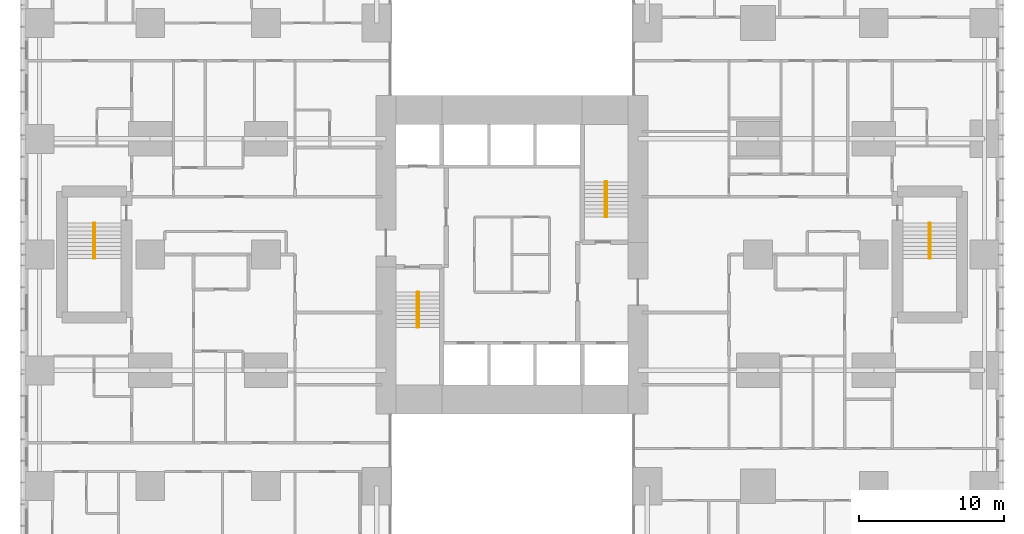
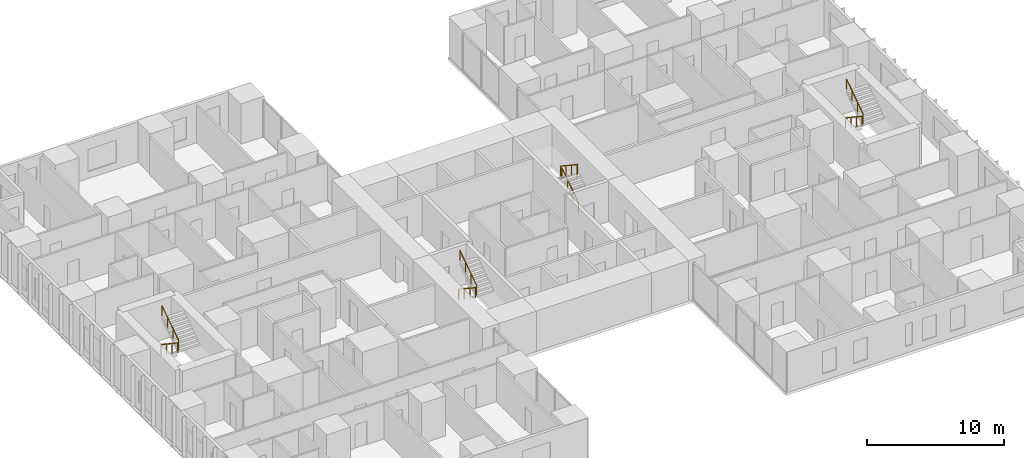
# One storey, part 20 of 20: 8 railings.
"""IFC4 building model written with IfcOpenShell, lengths in metres."""

from ifc_helpers import new_model, si_unit, direction, frame, origin, origin_2d, place, context, subcontext, project, spatial, circle, extrude, material, type_object, element, save


model = new_model("IFC4")

# Units and contexts
model_context = context("Model", 3, precision=1e-05, world=origin(), true_north=direction((0.0, 1.0)))
body_context = subcontext(model_context, "Body", "Model", "MODEL_VIEW")
ifc_project = project(units=[si_unit("LENGTHUNIT", "METRE"), si_unit("AREAUNIT", "SQUARE_METRE"), si_unit("VOLUMEUNIT", "CUBIC_METRE"), si_unit("PLANEANGLEUNIT", "RADIAN"), si_unit("MASSUNIT", "GRAM", prefix="KILO")], contexts=[model_context])

# Site, building, storey
site_placement = place(None, origin())
site = spatial("IfcSite", under=ifc_project, at=site_placement, CompositionType="ELEMENT")
building_placement = place(site_placement, origin())
building = spatial("IfcBuilding", under=site, at=building_placement, Name="Cleftline Residences", CompositionType="ELEMENT")
storey_placement = place(building_placement, frame((0.0, 0.0, 72.800048828125)))
storey = spatial("IfcBuildingStorey", under=building, at=storey_placement, Name="L18", CompositionType="ELEMENT", Elevation=72.800048828125)

# Railings
ifc_material = material(Name="Stainless steel", Category="steel")
railing_type = type_object("IfcRailingType", Name="HANDRAIL 900", PredefinedType="HANDRAIL", material=ifc_material)
railing_1_placement = place(storey_placement, frame((26.449951171875, 21.39990234375, 0.179931640625)))
element("IfcRailing", 1, at=railing_1_placement, inside=storey, type_object=railing_type, Name="Stair handrail", PredefinedType="HANDRAIL", context=body_context, shape_type="SweptSolid", body=[
    extrude(circle(Radius=0.02392578125, at=origin_2d()), frame((0.0, 0.0, 0.8759765625), z_axis=(0.0, -0.832024571796, 0.554738778101), x_axis=(1.0, 0.0, 0.0)), (0.0, 0.0, 1.0), 2.92041015625),
    extrude(circle(Radius=0.02099609375, at=origin_2d()), origin(), (0.0, 0.0, 1.0), 0.851806640625),
    extrude(circle(Radius=0.02099609375, at=origin_2d()), frame((0.0, -0.81005859375, 0.5400390625)), (0.0, 0.0, 1.0), 0.851806640625),
    extrude(circle(Radius=0.02099609375, at=origin_2d()), frame((0.0, -1.619873046875, 1.080078125)), (0.0, 0.0, 1.0), 0.851806640625),
    extrude(circle(Radius=0.02099609375, at=origin_2d()), frame((0.0, -2.429931640625, 1.6201171875)), (0.0, 0.0, 1.0), 0.851806640625),
])
railing_2_placement = place(storey_placement, frame((26.550048828125, 18.969970703125, 1.97998046875)))
element("IfcRailing", 2, at=railing_2_placement, inside=storey, type_object=railing_type, Name="Stair handrail", PredefinedType="HANDRAIL", context=body_context, shape_type="SweptSolid", body=[
    extrude(circle(Radius=0.02392578125, at=origin_2d()), frame((0.0, 0.0, 0.8759765625), z_axis=(0.0, 0.832063155534, 0.554680903946), x_axis=(-1.0, 0.0, 0.0)), (0.0, 0.0, 1.0), 2.92041015625),
    extrude(circle(Radius=0.02099609375, at=origin_2d()), origin(), (0.0, 0.0, 1.0), 0.851806640625),
    extrude(circle(Radius=0.02099609375, at=origin_2d()), frame((0.0, 0.81005859375, 0.5400390625)), (0.0, 0.0, 1.0), 0.851806640625),
    extrude(circle(Radius=0.02099609375, at=origin_2d()), frame((0.0, 1.619873046875, 1.079833984375)), (0.0, 0.0, 1.0), 0.851806640625),
    extrude(circle(Radius=0.02099609375, at=origin_2d()), frame((0.0, 2.429931640625, 1.619873046875)), (0.0, 0.0, 1.0), 0.851806640625),
])
railing_3_placement = place(storey_placement, frame((39.550048828125, 26.60009765625, 0.179931640625)))
element("IfcRailing", 3, at=railing_3_placement, inside=storey, type_object=railing_type, Name="Stair handrail", PredefinedType="HANDRAIL", context=body_context, shape_type="SweptSolid", body=[
    extrude(circle(Radius=0.02392578125, at=origin_2d()), frame((0.0, 0.0, 0.8759765625), z_axis=(0.0, 0.832024571796, 0.554738778101), x_axis=(-1.0, 0.0, 0.0)), (0.0, 0.0, 1.0), 2.92041015625),
    extrude(circle(Radius=0.02099609375, at=origin_2d()), origin(), (0.0, 0.0, 1.0), 0.851806640625),
    extrude(circle(Radius=0.02099609375, at=origin_2d()), frame((0.0, 0.81005859375, 0.5400390625)), (0.0, 0.0, 1.0), 0.851806640625),
    extrude(circle(Radius=0.02099609375, at=origin_2d()), frame((0.0, 1.619873046875, 1.080078125)), (0.0, 0.0, 1.0), 0.851806640625),
    extrude(circle(Radius=0.02099609375, at=origin_2d()), frame((0.0, 2.429931640625, 1.6201171875)), (0.0, 0.0, 1.0), 0.851806640625),
])
railing_4_placement = place(storey_placement, frame((39.449951171875, 29.030029296875, 1.97998046875)))
element("IfcRailing", 4, at=railing_4_placement, inside=storey, type_object=railing_type, Name="Stair handrail", PredefinedType="HANDRAIL", context=body_context, shape_type="SweptSolid", body=[
    extrude(circle(Radius=0.02392578125, at=origin_2d()), frame((0.0, 0.0, 0.8759765625), z_axis=(0.0, -0.832063155534, 0.554680903946), x_axis=(1.0, 0.0, 0.0)), (0.0, 0.0, 1.0), 2.92041015625),
    extrude(circle(Radius=0.02099609375, at=origin_2d()), origin(), (0.0, 0.0, 1.0), 0.851806640625),
    extrude(circle(Radius=0.02099609375, at=origin_2d()), frame((0.0, -0.81005859375, 0.5400390625)), (0.0, 0.0, 1.0), 0.851806640625),
    extrude(circle(Radius=0.02099609375, at=origin_2d()), frame((0.0, -1.619873046875, 1.079833984375)), (0.0, 0.0, 1.0), 0.851806640625),
    extrude(circle(Radius=0.02099609375, at=origin_2d()), frame((0.0, -2.429931640625, 1.619873046875)), (0.0, 0.0, 1.0), 0.851806640625),
])
railing_5_placement = place(storey_placement, frame((61.824951171875, 26.175048828125, 0.179931640625)))
element("IfcRailing", 5, at=railing_5_placement, inside=storey, type_object=railing_type, Name="Stair handrail", PredefinedType="HANDRAIL", context=body_context, shape_type="SweptSolid", body=[
    extrude(circle(Radius=0.02392578125, at=origin_2d()), frame((0.0, 0.0, 0.8759765625), z_axis=(0.0, -0.832024571796, 0.554738778101), x_axis=(1.0, 0.0, 0.0)), (0.0, 0.0, 1.0), 2.92041015625),
    extrude(circle(Radius=0.02099609375, at=origin_2d()), origin(), (0.0, 0.0, 1.0), 0.851806640625),
    extrude(circle(Radius=0.02099609375, at=origin_2d()), frame((0.0, -0.81005859375, 0.5400390625)), (0.0, 0.0, 1.0), 0.851806640625),
    extrude(circle(Radius=0.02099609375, at=origin_2d()), frame((0.0, -1.619873046875, 1.080078125)), (0.0, 0.0, 1.0), 0.851806640625),
    extrude(circle(Radius=0.02099609375, at=origin_2d()), frame((0.0, -2.429931640625, 1.6201171875)), (0.0, 0.0, 1.0), 0.851806640625),
])
railing_6_placement = place(storey_placement, frame((61.925048828125, 23.7451171875, 1.97998046875)))
element("IfcRailing", 6, at=railing_6_placement, inside=storey, type_object=railing_type, Name="Stair handrail", PredefinedType="HANDRAIL", context=body_context, shape_type="SweptSolid", body=[
    extrude(circle(Radius=0.02392578125, at=origin_2d()), frame((0.0, 0.0, 0.8759765625), z_axis=(0.0, 0.832063155534, 0.554680903946), x_axis=(-1.0, 0.0, 0.0)), (0.0, 0.0, 1.0), 2.92041015625),
    extrude(circle(Radius=0.02099609375, at=origin_2d()), origin(), (0.0, 0.0, 1.0), 0.851806640625),
    extrude(circle(Radius=0.02099609375, at=origin_2d()), frame((0.0, 0.81005859375, 0.5400390625)), (0.0, 0.0, 1.0), 0.851806640625),
    extrude(circle(Radius=0.02099609375, at=origin_2d()), frame((0.0, 1.619873046875, 1.079833984375)), (0.0, 0.0, 1.0), 0.851806640625),
    extrude(circle(Radius=0.02099609375, at=origin_2d()), frame((0.0, 2.429931640625, 1.619873046875)), (0.0, 0.0, 1.0), 0.851806640625),
])
railing_7_placement = place(storey_placement, frame((4.074951171875, 26.175048828125, 0.179931640625)))
element("IfcRailing", 7, at=railing_7_placement, inside=storey, type_object=railing_type, Name="Stair handrail", PredefinedType="HANDRAIL", context=body_context, shape_type="SweptSolid", body=[
    extrude(circle(Radius=0.02392578125, at=origin_2d()), frame((0.0, 0.0, 0.8759765625), z_axis=(0.0, -0.832024571796, 0.554738778101), x_axis=(1.0, 0.0, 0.0)), (0.0, 0.0, 1.0), 2.92041015625),
    extrude(circle(Radius=0.02099609375, at=origin_2d()), origin(), (0.0, 0.0, 1.0), 0.851806640625),
    extrude(circle(Radius=0.02099609375, at=origin_2d()), frame((0.0, -0.81005859375, 0.5400390625)), (0.0, 0.0, 1.0), 0.851806640625),
    extrude(circle(Radius=0.02099609375, at=origin_2d()), frame((0.0, -1.619873046875, 1.080078125)), (0.0, 0.0, 1.0), 0.851806640625),
    extrude(circle(Radius=0.02099609375, at=origin_2d()), frame((0.0, -2.429931640625, 1.6201171875)), (0.0, 0.0, 1.0), 0.851806640625),
])
railing_8_placement = place(storey_placement, frame((4.175048828125, 23.7451171875, 1.97998046875)))
element("IfcRailing", 8, at=railing_8_placement, inside=storey, type_object=railing_type, Name="Stair handrail", PredefinedType="HANDRAIL", context=body_context, shape_type="SweptSolid", body=[
    extrude(circle(Radius=0.02392578125, at=origin_2d()), frame((0.0, 0.0, 0.8759765625), z_axis=(0.0, 0.832063155534, 0.554680903946), x_axis=(-1.0, 0.0, 0.0)), (0.0, 0.0, 1.0), 2.92041015625),
    extrude(circle(Radius=0.02099609375, at=origin_2d()), origin(), (0.0, 0.0, 1.0), 0.851806640625),
    extrude(circle(Radius=0.02099609375, at=origin_2d()), frame((0.0, 0.81005859375, 0.5400390625)), (0.0, 0.0, 1.0), 0.851806640625),
    extrude(circle(Radius=0.02099609375, at=origin_2d()), frame((0.0, 1.619873046875, 1.079833984375)), (0.0, 0.0, 1.0), 0.851806640625),
    extrude(circle(Radius=0.02099609375, at=origin_2d()), frame((0.0, 2.429931640625, 1.619873046875)), (0.0, 0.0, 1.0), 0.851806640625),
])

save(model, "model.ifc")
